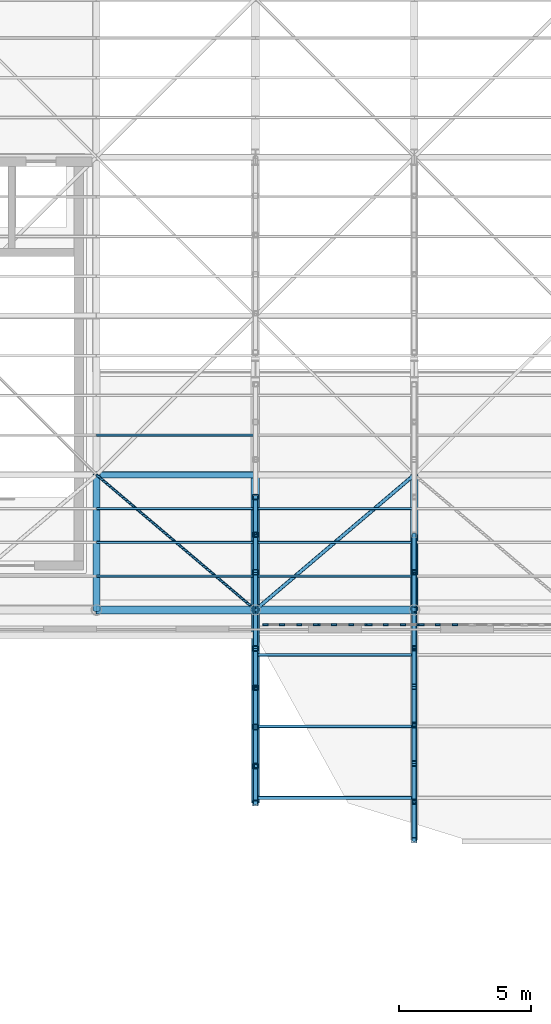
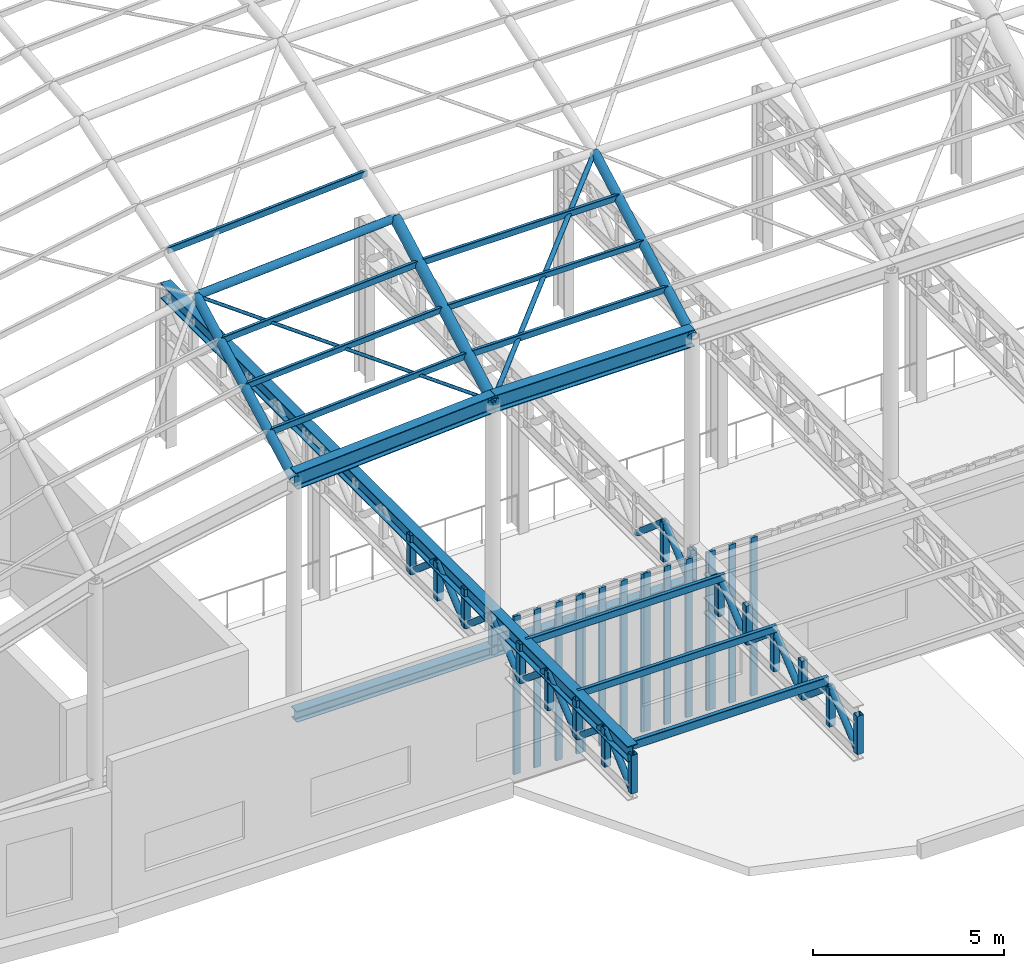
# One storey, part 22 of 75: 65 members, 4 beams, 4 elements without a shape of their own.
"""IFC4 building model written with IfcOpenShell, lengths in metres."""

from ifc_helpers import new_model, si_unit, direction, frame, origin, origin_2d, place, context, subcontext, project, spatial, rectangle, hollow_rectangle, hollow_circle, i_section, extrude, material, material_profile, profile_set, type_object, element, aggregate, save


model = new_model("IFC4")

# Units and contexts
model_context = context("Model", 3, precision=1e-05, world=origin(), true_north=direction((0.0, 1.0)))
body_context = subcontext(model_context, "Body", "Model", "MODEL_VIEW")
ifc_project = project(units=[si_unit("LENGTHUNIT", "METRE"), si_unit("AREAUNIT", "SQUARE_METRE"), si_unit("VOLUMEUNIT", "CUBIC_METRE"), si_unit("PLANEANGLEUNIT", "RADIAN"), si_unit("MASSUNIT", "GRAM", prefix="KILO")], contexts=[model_context])

# Site, building, storey
site_placement = place(None, origin())
site = spatial("IfcSite", under=ifc_project, at=site_placement, CompositionType="ELEMENT")
building_placement = place(site_placement, origin())
building = spatial("IfcBuilding", under=site, at=building_placement, Name="Kolvaren Corner Interchange", CompositionType="ELEMENT")
storey_placement = place(building_placement, frame((0.0, 0.0, 10.5)))
storey = spatial("IfcBuildingStorey", under=building, at=storey_placement, Name="L03", CompositionType="ELEMENT", Elevation=10.5)

# Beams
ifc_material_1 = material(Name="Steel S355", Category="steel")
ifc_material_profile_1 = material_profile(ifc_material_1, i_section(OverallWidth=0.300048828125, OverallDepth=0.35009765625, WebThickness=0.010009765625, FlangeThickness=0.017578125, FilletRadius=0.027099609375, at=origin_2d()), Name="HEA 360")
ifc_profile_set_1 = profile_set([ifc_material_profile_1], Name="Steel S355")
beam_type_1 = type_object("IfcBeamType", Name="BM-HEA360", PredefinedType="BEAM", material=ifc_profile_set_1)
for number, where, z_axis, x_axis, name in (
    (1, (66.0, 24.89990234375, 3.77490234375), (1.0, 0.0, 0.0), (0.0, 1.0, 0.0), "Storey L03 Grid X Primary Girder 0832"),
    (2, (72.0, 24.89990234375, 3.77490234375), (1.0, 0.0, 0.0), (0.0, 1.0, 0.0), "Storey L03 Grid X Primary Girder 0833"),
):
    element("IfcBeam", number, at=place(storey_placement, frame(where, z_axis=z_axis, x_axis=x_axis)), inside=storey, type_object=beam_type_1, Name=name, PredefinedType="BEAM", context=body_context, shape_type="SweptSolid", body=[
        extrude(i_section(OverallWidth=0.300048828125, OverallDepth=0.35009765625, WebThickness=0.010009765625, FlangeThickness=0.017578125, FilletRadius=0.027099609375, at=origin_2d()), origin(), (0.0, 0.0, 1.0), 6.0),
    ])
ifc_material_2 = material(Name="Steel S355", Category="steel")
ifc_material_profile_2 = material_profile(ifc_material_2, i_section(OverallWidth=0.300048828125, OverallDepth=0.5400390625, WebThickness=0.012451171875, FlangeThickness=0.02392578125, FilletRadius=0.027099609375, at=origin_2d()), Name="HEA 550")
ifc_profile_set_2 = profile_set([ifc_material_profile_2], Name="Steel S355")
beam_type_2 = type_object("IfcBeamType", Name="BM-HEA550", PredefinedType="BEAM", material=ifc_profile_set_2)
beam_1_placement = place(storey_placement, frame((66.0, 24.89990234375, 11.2900390625), z_axis=(0.998052578483, 0.0, 0.062378286155), x_axis=(0.0, 1.0, 0.0)))
element("IfcBeam", 3, at=beam_1_placement, inside=storey, type_object=beam_type_2, Name="Concourse Translational Gridshell Eaves Ring Beam 004", PredefinedType="BEAM", context=body_context, shape_type="SweptSolid", body=[
    extrude(i_section(OverallWidth=0.300048828125, OverallDepth=0.5400390625, WebThickness=0.012451171875, FlangeThickness=0.02392578125, FilletRadius=0.027099609375, at=origin_2d()), origin(), (0.0, 0.0, 1.0), 6.01171875),
])
beam_2_placement = place(storey_placement, frame((72.0, 24.89990234375, 11.6650390625), z_axis=(1.0, 0.0, 0.0), x_axis=(0.0, 1.0, 0.0)))
element("IfcBeam", 4, at=beam_2_placement, inside=storey, type_object=beam_type_2, Name="Concourse Translational Gridshell Eaves Ring Beam 005", PredefinedType="BEAM", context=body_context, shape_type="SweptSolid", body=[
    extrude(i_section(OverallWidth=0.300048828125, OverallDepth=0.5400390625, WebThickness=0.012451171875, FlangeThickness=0.02392578125, FilletRadius=0.027099609375, at=origin_2d()), origin(), (0.0, 0.0, 1.0), 6.0),
])

# Members
ifc_material_3 = material(Name="Steel S355", Category="steel")
ifc_material_profile_3 = material_profile(ifc_material_3, hollow_circle(Radius=0.05078125, WallThickness=0.00634765625, at=origin_2d()), Name="CHS 101.6x6.3")
ifc_profile_set_3 = profile_set([ifc_material_profile_3], Name="Steel S355")
member_type_1 = type_object("IfcMemberType", Name="MEM-BR-CHS102", PredefinedType="BRACE", material=ifc_profile_set_3)
member_1_placement = place(storey_placement, frame((66.0, 30.0, 14.0380859375), z_axis=(0.729527914915, -0.620110601504, -0.288533989786), x_axis=(0.647655619635, 0.761933198092, 0.0)))
element("IfcMember", 5, at=member_1_placement, inside=storey, type_object=member_type_1, Name="Concourse Translational Gridshell Nodal Diagonal Brace 0025", PredefinedType="BRACE", context=body_context, shape_type="SweptSolid", body=[
    extrude(hollow_circle(Radius=0.05078125, WallThickness=0.00634765625, at=origin_2d()), origin(), (0.0, 0.0, 1.0), 8.224609375),
])
ifc_material_4 = material(Name="Steel S355", Category="steel")
ifc_material_profile_4 = material_profile(ifc_material_4, hollow_circle(Radius=0.06982421875, WallThickness=0.008056640625, at=origin_2d()), Name="CHS 139.7x8.0")
ifc_profile_set_4 = profile_set([ifc_material_profile_4], Name="Steel S355")
member_type_2 = type_object("IfcMemberType", Name="MEM-BR-CHS140", PredefinedType="BRACE", material=ifc_profile_set_4)
member_2_placement = place(storey_placement, frame((72.0, 24.89990234375, 11.6650390625), z_axis=(0.719387446525, 0.611491038326, 0.329485070723), x_axis=(-0.647655619635, 0.761933198092, 0.0)))
element("IfcMember", 6, at=member_2_placement, inside=storey, type_object=member_type_2, Name="Concourse Translational Gridshell Nodal Diagonal Brace 0033", PredefinedType="BRACE", context=body_context, shape_type="SweptSolid", body=[
    extrude(hollow_circle(Radius=0.06982421875, WallThickness=0.008056640625, at=origin_2d()), origin(), (0.0, 0.0, 1.0), 8.34033203125),
])
ifc_material_5 = material(Name="Steel S355", Category="steel")
ifc_material_profile_5 = material_profile(ifc_material_5, hollow_circle(Radius=0.096923828125, WallThickness=0.010009765625, at=origin_2d()), Name="CHS 193.7x10.0")
ifc_profile_set_5 = profile_set([ifc_material_profile_5], Name="Steel S355")
member_type_3 = type_object("IfcMemberType", Name="MEM-BR-CHS194", PredefinedType="BRACE", material=ifc_profile_set_5)
member_3_placement = place(storey_placement, frame((72.0, 17.60009765625, 3.64990234375), z_axis=(0.0, 0.75382949788, 0.65707007855), x_axis=(-1.0, 0.0, 0.0)))
element("IfcMember", 7, at=member_3_placement, inside=storey, type_object=member_type_3, Name="South Portal Cantilever Roof Truss TOP Line 1 Diagonal 01", PredefinedType="BRACE", context=body_context, shape_type="SweptSolid", body=[
    extrude(hollow_circle(Radius=0.096923828125, WallThickness=0.010009765625, at=origin_2d()), origin(), (0.0, 0.0, 1.0), 1.85693359375),
])
for number, where, z_axis, x_axis, name in (
    (8, (72.0, 19.0, 4.8701171875), (0.0, 0.771570054348, -0.636144363516), (-1.0, 0.0, 0.0), "South Portal Cantilever Roof Truss TOP Line 1 Diagonal 02"),
    (9, (72.0, 20.47998046875, 3.64990234375), (0.0, 0.771570054348, 0.636144363516), (-1.0, 0.0, 0.0), "South Portal Cantilever Roof Truss TOP Line 1 Diagonal 03"),
    (10, (72.0, 21.9599609375, 4.8701171875), (0.0, 0.771570054348, -0.636144363516), (-1.0, 0.0, 0.0), "South Portal Cantilever Roof Truss TOP Line 1 Diagonal 04"),
):
    element("IfcMember", number, at=place(storey_placement, frame(where, z_axis=z_axis, x_axis=x_axis)), inside=storey, type_object=member_type_3, Name=name, PredefinedType="BRACE", context=body_context, shape_type="SweptSolid", body=[
        extrude(hollow_circle(Radius=0.096923828125, WallThickness=0.010009765625, at=origin_2d()), origin(), (0.0, 0.0, 1.0), 1.918212890625),
    ])
member_4_placement = place(storey_placement, frame((72.0, 23.43994140625, 3.64990234375), z_axis=(0.0, 0.76729496063, 0.641294350039), x_axis=(-1.0, 0.0, 0.0)))
element("IfcMember", 11, at=member_4_placement, inside=storey, type_object=member_type_3, Name="South Portal Cantilever Roof Truss TOP Line 1 Diagonal 05", PredefinedType="BRACE", context=body_context, shape_type="SweptSolid", body=[
    extrude(hollow_circle(Radius=0.096923828125, WallThickness=0.010009765625, at=origin_2d()), origin(), (0.0, 0.0, 1.0), 1.90283203125),
])
member_5_placement = place(storey_placement, frame((72.0, 24.89990234375, 4.8701171875), z_axis=(0.0, 0.758482926199, -0.651692911319), x_axis=(-1.0, 0.0, 0.0)))
element("IfcMember", 12, at=member_5_placement, inside=storey, type_object=member_type_3, Name="South Portal Cantilever Roof Truss TOP Line 1 Diagonal 06", PredefinedType="BRACE", context=body_context, shape_type="SweptSolid", body=[
    extrude(hollow_circle(Radius=0.096923828125, WallThickness=0.010009765625, at=origin_2d()), origin(), (0.0, 0.0, 1.0), 1.872314453125),
])
for number, where, z_axis, x_axis, name in (
    (13, (72.0, 26.320068359375, 3.64990234375), (0.0, 0.758427540561, 0.651757367215), (-1.0, 0.0, 0.0), "South Portal Cantilever Roof Truss TOP Line 1 Diagonal 07"),
    (14, (72.0, 27.739990234375, 4.8701171875), (0.0, 0.758427540561, -0.651757367215), (-1.0, 0.0, 0.0), "South Portal Cantilever Roof Truss TOP Line 1 Diagonal 08"),
):
    element("IfcMember", number, at=place(storey_placement, frame(where, z_axis=z_axis, x_axis=x_axis)), inside=storey, type_object=member_type_3, Name=name, PredefinedType="BRACE", context=body_context, shape_type="SweptSolid", body=[
        extrude(hollow_circle(Radius=0.096923828125, WallThickness=0.010009765625, at=origin_2d()), origin(), (0.0, 0.0, 1.0), 1.8720703125),
    ])
member_6_placement = place(storey_placement, frame((78.0, 16.199951171875, 3.64990234375), z_axis=(0.0, 0.765118287979, 0.643889746307), x_axis=(-1.0, 0.0, 0.0)))
element("IfcMember", 15, at=member_6_placement, inside=storey, type_object=member_type_3, Name="South Portal Cantilever Roof Truss TOP Line 2 Diagonal 01", PredefinedType="BRACE", context=body_context, shape_type="SweptSolid", body=[
    extrude(hollow_circle(Radius=0.096923828125, WallThickness=0.010009765625, at=origin_2d()), origin(), (0.0, 0.0, 1.0), 1.89501953125),
])
member_7_placement = place(storey_placement, frame((78.0, 17.64990234375, 4.8701171875), z_axis=(0.0, 0.765171692013, -0.64382628227), x_axis=(-1.0, 0.0, 0.0)))
element("IfcMember", 16, at=member_7_placement, inside=storey, type_object=member_type_3, Name="South Portal Cantilever Roof Truss TOP Line 2 Diagonal 02", PredefinedType="BRACE", context=body_context, shape_type="SweptSolid", body=[
    extrude(hollow_circle(Radius=0.096923828125, WallThickness=0.010009765625, at=origin_2d()), origin(), (0.0, 0.0, 1.0), 1.895263671875),
])
for number, where, z_axis, x_axis, name in (
    (17, (78.0, 19.10009765625, 3.64990234375), (0.0, 0.765118287979, 0.643889746307), (-1.0, 0.0, 0.0), "South Portal Cantilever Roof Truss TOP Line 2 Diagonal 03"),
    (18, (78.0, 20.550048828125, 4.8701171875), (0.0, 0.765118287979, -0.643889746307), (-1.0, 0.0, 0.0), "South Portal Cantilever Roof Truss TOP Line 2 Diagonal 04"),
    (19, (78.0, 22.0, 3.64990234375), (0.0, 0.765118287979, 0.643889746307), (-1.0, 0.0, 0.0), "South Portal Cantilever Roof Truss TOP Line 2 Diagonal 05"),
    (20, (78.0, 23.449951171875, 4.8701171875), (0.0, 0.765118287979, -0.643889746307), (-1.0, 0.0, 0.0), "South Portal Cantilever Roof Truss TOP Line 2 Diagonal 06"),
):
    element("IfcMember", number, at=place(storey_placement, frame(where, z_axis=z_axis, x_axis=x_axis)), inside=storey, type_object=member_type_3, Name=name, PredefinedType="BRACE", context=body_context, shape_type="SweptSolid", body=[
        extrude(hollow_circle(Radius=0.096923828125, WallThickness=0.010009765625, at=origin_2d()), origin(), (0.0, 0.0, 1.0), 1.89501953125),
    ])
member_8_placement = place(storey_placement, frame((78.0, 24.89990234375, 3.64990234375), z_axis=(0.0, 0.758482926199, 0.651692911319), x_axis=(-1.0, 0.0, 0.0)))
element("IfcMember", 21, at=member_8_placement, inside=storey, type_object=member_type_3, Name="South Portal Cantilever Roof Truss TOP Line 2 Diagonal 07", PredefinedType="BRACE", context=body_context, shape_type="SweptSolid", body=[
    extrude(hollow_circle(Radius=0.096923828125, WallThickness=0.010009765625, at=origin_2d()), origin(), (0.0, 0.0, 1.0), 1.872314453125),
])
member_9_placement = place(storey_placement, frame((78.0, 26.320068359375, 4.8701171875), z_axis=(0.0, 0.758427540561, -0.651757367215), x_axis=(-1.0, 0.0, 0.0)))
element("IfcMember", 22, at=member_9_placement, inside=storey, type_object=member_type_3, Name="South Portal Cantilever Roof Truss TOP Line 2 Diagonal 08", PredefinedType="BRACE", context=body_context, shape_type="SweptSolid", body=[
    extrude(hollow_circle(Radius=0.096923828125, WallThickness=0.010009765625, at=origin_2d()), origin(), (0.0, 0.0, 1.0), 1.8720703125),
])
ifc_material_6 = material(Name="Steel S355", Category="steel")
ifc_material_profile_6 = material_profile(ifc_material_6, hollow_circle(Radius=0.122314453125, WallThickness=0.012451171875, at=origin_2d()), Name="CHS 244.5x12.5")
ifc_profile_set_6 = profile_set([ifc_material_profile_6], Name="Steel S355")
member_type_4 = type_object("IfcMemberType", Name="MEM-CH-CHS245", PredefinedType="CHORD", material=ifc_profile_set_6)
member_10_placement = place(storey_placement, frame((66.0, 30.0, 14.0380859375), z_axis=(0.998052578483, 0.0, 0.062378286155), x_axis=(0.0, 1.0, 0.0)))
element("IfcMember", 23, at=member_10_placement, inside=storey, type_object=member_type_4, Name="Concourse Translational Gridshell Longitudinal Arch Chord 0108", PredefinedType="CHORD", context=body_context, shape_type="SweptSolid", body=[
    extrude(hollow_circle(Radius=0.122314453125, WallThickness=0.012451171875, at=origin_2d()), origin(), (0.0, 0.0, 1.0), 6.01171875),
])
ifc_material_7 = material(Name="Steel S355", Category="steel")
ifc_material_profile_7 = material_profile(ifc_material_7, hollow_circle(Radius=0.136474609375, WallThickness=0.012451171875, at=origin_2d()), Name="CHS 273.0x12.5")
ifc_profile_set_7 = profile_set([ifc_material_profile_7], Name="Steel S355")
member_type_5 = type_object("IfcMemberType", Name="MEM-CH-CHS273", PredefinedType="CHORD", material=ifc_profile_set_7)
for number, where, z_axis, x_axis, name in (
    (24, (66.0, 24.89990234375, 11.2900390625), (0.0, 0.880338454691, 0.474346081666), (-1.0, 0.0, 0.0), "Concourse Translational Gridshell Transverse Arch Chord 0017"),
    (25, (78.0, 24.89990234375, 11.6650390625), (0.0, 0.880338454691, 0.474346081666), (-1.0, 0.0, 0.0), "Concourse Translational Gridshell Transverse Arch Chord 0033"),
):
    element("IfcMember", number, at=place(storey_placement, frame(where, z_axis=z_axis, x_axis=x_axis)), inside=storey, type_object=member_type_5, Name=name, PredefinedType="CHORD", context=body_context, shape_type="SweptSolid", body=[
        extrude(hollow_circle(Radius=0.136474609375, WallThickness=0.012451171875, at=origin_2d()), origin(), (0.0, 0.0, 1.0), 5.79345703125),
    ])
ifc_material_8 = material(Name="Steel S355", Category="steel")
ifc_material_profile_8 = material_profile(ifc_material_8, hollow_circle(Radius=0.161865234375, WallThickness=0.012451171875, at=origin_2d()), Name="CHS 323.9x12.5")
ifc_profile_set_8 = profile_set([ifc_material_profile_8], Name="Steel S355")
member_type_6 = type_object("IfcMemberType", Name="MEM-CH-CHS324", PredefinedType="CHORD", material=ifc_profile_set_8)
member_11_placement = place(storey_placement, frame((72.0, 24.89990234375, 11.6650390625), z_axis=(0.0, 0.880338454691, 0.474346081666), x_axis=(-1.0, 0.0, 0.0)))
element("IfcMember", 26, at=member_11_placement, inside=storey, type_object=member_type_6, Name="Concourse Translational Gridshell Transverse Arch Chord 0025", PredefinedType="CHORD", context=body_context, shape_type="SweptSolid", body=[
    extrude(hollow_circle(Radius=0.161865234375, WallThickness=0.012451171875, at=origin_2d()), origin(), (0.0, 0.0, 1.0), 5.79345703125),
])
ifc_material_9 = material(Name="Steel S355", Category="steel")
ifc_material_profile_9 = material_profile(ifc_material_9, i_section(OverallWidth=0.300048828125, OverallDepth=0.5, WebThickness=0.014404296875, FlangeThickness=0.028076171875, FilletRadius=0.027099609375, at=origin_2d()), Name="HEB 500")
ifc_profile_set_9 = profile_set([ifc_material_profile_9], Name="Steel S355")
member_type_7 = type_object("IfcMemberType", Name="MEM-CH-HEB500", PredefinedType="CHORD", material=ifc_profile_set_9)
member_12_placement = place(storey_placement, frame((72.0, 17.60009765625, 4.8701171875), z_axis=(0.0, 1.0, 0.0), x_axis=(-1.0, 0.0, 0.0)))
element("IfcMember", 27, at=member_12_placement, inside=storey, type_object=member_type_7, Name="South Portal Cantilever Roof Truss TOP Line 1 Top Chord", PredefinedType="CHORD", context=body_context, shape_type="SweptSolid", body=[
    extrude(i_section(OverallWidth=0.300048828125, OverallDepth=0.5, WebThickness=0.014404296875, FlangeThickness=0.028076171875, FilletRadius=0.027099609375, at=origin_2d()), origin(), (0.0, 0.0, 1.0), 24.39990234375),
])
ifc_material_10 = material(Name="Steel S355", Category="steel")
ifc_material_profile_10 = material_profile(ifc_material_10, hollow_rectangle(XDim=0.10009765625, YDim=0.179931640625, WallThickness=0.008056640625, InnerFilletRadius=0.008056640625, OuterFilletRadius=0.01611328125, at=origin_2d()), Name="RHS 180x100x8.0")
ifc_profile_set_10 = profile_set([ifc_material_profile_10], Name="Steel S355")
member_type_8 = type_object("IfcMemberType", Name="MEM-PR-RHS180", PredefinedType="PURLIN", material=ifc_profile_set_10)
member_13_placement = place(storey_placement, frame((66.0, 27.449951171875, 12.7119140625), z_axis=(0.998052578483, 0.0, 0.062378286155), x_axis=(0.0, 1.0, 0.0)))
element("IfcMember", 28, at=member_13_placement, inside=storey, type_object=member_type_8, Name="Concourse Translational Gridshell Glazing Purlin 0025 Row 2", PredefinedType="PURLIN", context=body_context, shape_type="SweptSolid", body=[
    extrude(hollow_rectangle(XDim=0.10009765625, YDim=0.179931640625, WallThickness=0.008056640625, InnerFilletRadius=0.008056640625, OuterFilletRadius=0.01611328125, at=origin_2d()), origin(), (0.0, 0.0, 1.0), 6.01171875),
])
member_14_placement = place(storey_placement, frame((72.0, 27.449951171875, 13.0869140625), z_axis=(1.0, 0.0, 0.0), x_axis=(0.0, 1.0, 0.0)))
element("IfcMember", 29, at=member_14_placement, inside=storey, type_object=member_type_8, Name="Concourse Translational Gridshell Glazing Purlin 0033 Row 2", PredefinedType="PURLIN", context=body_context, shape_type="SweptSolid", body=[
    extrude(hollow_rectangle(XDim=0.10009765625, YDim=0.179931640625, WallThickness=0.008056640625, InnerFilletRadius=0.008056640625, OuterFilletRadius=0.01611328125, at=origin_2d()), origin(), (0.0, 0.0, 1.0), 6.0),
])
ifc_material_11 = material(Name="Steel S355", Category="steel")
ifc_material_profile_11 = material_profile(ifc_material_11, hollow_rectangle(XDim=0.10009765625, YDim=0.199951171875, WallThickness=0.008056640625, InnerFilletRadius=0.008056640625, OuterFilletRadius=0.01611328125, at=origin_2d()), Name="RHS 200x100x8.0")
ifc_profile_set_11 = profile_set([ifc_material_profile_11], Name="Steel S355")
member_type_9 = type_object("IfcMemberType", Name="MEM-PR-RHS200", PredefinedType="PURLIN", material=ifc_profile_set_11)
for number, where, z_axis, x_axis, name in (
    (30, (66.0, 26.175048828125, 12.014892578125), (0.998052578483, 0.0, 0.062378286155), (0.0, 1.0, 0.0), "Concourse Translational Gridshell Glazing Purlin 0025 Row 1"),
    (31, (66.0, 28.72509765625, 13.388916015625), (0.998052578483, 0.0, 0.062378286155), (0.0, 1.0, 0.0), "Concourse Translational Gridshell Glazing Purlin 0025 Row 3"),
    (32, (66.0, 31.5, 14.575927734375), (0.998052578483, 0.0, 0.062378286155), (0.0, 1.0, 0.0), "Concourse Translational Gridshell Glazing Purlin 0026 Row 1"),
):
    element("IfcMember", number, at=place(storey_placement, frame(where, z_axis=z_axis, x_axis=x_axis)), inside=storey, type_object=member_type_9, Name=name, PredefinedType="PURLIN", context=body_context, shape_type="SweptSolid", body=[
        extrude(hollow_rectangle(XDim=0.10009765625, YDim=0.199951171875, WallThickness=0.008056640625, InnerFilletRadius=0.008056640625, OuterFilletRadius=0.01611328125, at=origin_2d()), origin(), (0.0, 0.0, 1.0), 6.01171875),
    ])
for number, where, z_axis, x_axis, name in (
    (33, (72.0, 26.175048828125, 12.389892578125), (1.0, 0.0, 0.0), (0.0, 1.0, 0.0), "Concourse Translational Gridshell Glazing Purlin 0033 Row 1"),
    (34, (72.0, 28.72509765625, 13.763916015625), (1.0, 0.0, 0.0), (0.0, 1.0, 0.0), "Concourse Translational Gridshell Glazing Purlin 0033 Row 3"),
):
    element("IfcMember", number, at=place(storey_placement, frame(where, z_axis=z_axis, x_axis=x_axis)), inside=storey, type_object=member_type_9, Name=name, PredefinedType="PURLIN", context=body_context, shape_type="SweptSolid", body=[
        extrude(hollow_rectangle(XDim=0.10009765625, YDim=0.199951171875, WallThickness=0.008056640625, InnerFilletRadius=0.008056640625, OuterFilletRadius=0.01611328125, at=origin_2d()), origin(), (0.0, 0.0, 1.0), 6.0),
    ])
ifc_material_12 = material(Name="Steel S355", Category="steel")
ifc_material_profile_12 = material_profile(ifc_material_12, hollow_rectangle(XDim=0.1201171875, YDim=0.219970703125, WallThickness=0.008056640625, InnerFilletRadius=0.008056640625, OuterFilletRadius=0.01611328125, at=origin_2d()), Name="RHS 220x120x8.0")
ifc_profile_set_12 = profile_set([ifc_material_profile_12], Name="Steel S355")
member_type_10 = type_object("IfcMemberType", Name="MEM-PR-RHS220", PredefinedType="PURLIN", material=ifc_profile_set_12)
for number, where, z_axis, x_axis, name in (
    (35, (72.0, 20.5, 5.010009765625), (1.0, 0.0, 0.0), (0.0, 1.0, 0.0), "South Portal Cantilever Roof Truss TOP Purlin 2 Bay 72"),
    (36, (72.0, 23.199951171875, 5.010009765625), (1.0, 0.0, 0.0), (0.0, 1.0, 0.0), "South Portal Cantilever Roof Truss TOP Purlin 3 Bay 72"),
):
    element("IfcMember", number, at=place(storey_placement, frame(where, z_axis=z_axis, x_axis=x_axis)), inside=storey, type_object=member_type_10, Name=name, PredefinedType="PURLIN", context=body_context, shape_type="SweptSolid", body=[
        extrude(hollow_rectangle(XDim=0.1201171875, YDim=0.219970703125, WallThickness=0.008056640625, InnerFilletRadius=0.008056640625, OuterFilletRadius=0.01611328125, at=origin_2d()), origin(), (0.0, 0.0, 1.0), 6.0),
    ])
ifc_material_13 = material(Name="Steel S355", Category="steel")
ifc_material_profile_13 = material_profile(ifc_material_13, hollow_rectangle(XDim=0.139892578125, YDim=0.260009765625, WallThickness=0.010009765625, InnerFilletRadius=0.010009765625, OuterFilletRadius=0.02001953125, at=origin_2d()), Name="RHS 260x140x10.0")
ifc_profile_set_13 = profile_set([ifc_material_profile_13], Name="Steel S355")
member_type_11 = type_object("IfcMemberType", Name="MEM-PR-RHS260", PredefinedType="PURLIN", material=ifc_profile_set_13)
member_15_placement = place(storey_placement, frame((72.0, 17.800048828125, 4.989990234375), z_axis=(1.0, 0.0, 0.0), x_axis=(0.0, 1.0, 0.0)))
element("IfcMember", 37, at=member_15_placement, inside=storey, type_object=member_type_11, Name="South Portal Cantilever Roof Truss TOP Purlin 1 Bay 72", PredefinedType="PURLIN", context=body_context, shape_type="SweptSolid", body=[
    extrude(hollow_rectangle(XDim=0.139892578125, YDim=0.260009765625, WallThickness=0.010009765625, InnerFilletRadius=0.010009765625, OuterFilletRadius=0.02001953125, at=origin_2d()), origin(), (0.0, 0.0, 1.0), 6.0),
])
ifc_material_14 = material(Name="Steel S355", Category="steel")
ifc_material_profile_14 = material_profile(ifc_material_14, hollow_rectangle(XDim=0.199951171875, YDim=0.199951171875, WallThickness=0.010009765625, InnerFilletRadius=0.010009765625, OuterFilletRadius=0.02001953125, at=origin_2d()), Name="SHS 200x200x10.0")
ifc_profile_set_14 = profile_set([ifc_material_profile_14], Name="Steel S355")
member_type_12 = type_object("IfcMemberType", Name="MEM-PT-SHS200", PredefinedType="POST", material=ifc_profile_set_14)
for number, where, z_axis, x_axis, name in (
    (38, (72.0, 17.60009765625, 3.64990234375), (0.0, 0.0, 1.0), (1.0, 0.0, 0.0), "South Portal Cantilever Roof Truss TOP Line 1 Web Post 01"),
    (39, (72.0, 19.0, 3.64990234375), (0.0, 0.0, 1.0), (1.0, 0.0, 0.0), "South Portal Cantilever Roof Truss TOP Line 1 Web Post 02"),
    (40, (72.0, 20.47998046875, 3.64990234375), (0.0, 0.0, 1.0), (1.0, 0.0, 0.0), "South Portal Cantilever Roof Truss TOP Line 1 Web Post 03"),
    (41, (72.0, 21.9599609375, 3.64990234375), (0.0, 0.0, 1.0), (1.0, 0.0, 0.0), "South Portal Cantilever Roof Truss TOP Line 1 Web Post 04"),
    (42, (72.0, 23.43994140625, 3.64990234375), (0.0, 0.0, 1.0), (1.0, 0.0, 0.0), "South Portal Cantilever Roof Truss TOP Line 1 Web Post 05"),
    (43, (72.0, 24.89990234375, 3.64990234375), (0.0, 0.0, 1.0), (1.0, 0.0, 0.0), "South Portal Cantilever Roof Truss TOP Line 1 Web Post 06"),
    (44, (72.0, 26.320068359375, 3.64990234375), (0.0, 0.0, 1.0), (1.0, 0.0, 0.0), "South Portal Cantilever Roof Truss TOP Line 1 Web Post 07"),
    (45, (72.0, 27.739990234375, 3.64990234375), (0.0, 0.0, 1.0), (1.0, 0.0, 0.0), "South Portal Cantilever Roof Truss TOP Line 1 Web Post 08"),
    (46, (72.0, 29.159912109375, 3.64990234375), (0.0, 0.0, 1.0), (1.0, 0.0, 0.0), "South Portal Cantilever Roof Truss TOP Line 1 Web Post 09"),
    (47, (78.0, 16.199951171875, 3.64990234375), (0.0, 0.0, 1.0), (1.0, 0.0, 0.0), "South Portal Cantilever Roof Truss TOP Line 2 Web Post 01"),
    (48, (78.0, 17.64990234375, 3.64990234375), (0.0, 0.0, 1.0), (1.0, 0.0, 0.0), "South Portal Cantilever Roof Truss TOP Line 2 Web Post 02"),
    (49, (78.0, 19.10009765625, 3.64990234375), (0.0, 0.0, 1.0), (1.0, 0.0, 0.0), "South Portal Cantilever Roof Truss TOP Line 2 Web Post 03"),
    (50, (78.0, 20.550048828125, 3.64990234375), (0.0, 0.0, 1.0), (1.0, 0.0, 0.0), "South Portal Cantilever Roof Truss TOP Line 2 Web Post 04"),
    (51, (78.0, 22.0, 3.64990234375), (0.0, 0.0, 1.0), (1.0, 0.0, 0.0), "South Portal Cantilever Roof Truss TOP Line 2 Web Post 05"),
    (52, (78.0, 23.449951171875, 3.64990234375), (0.0, 0.0, 1.0), (1.0, 0.0, 0.0), "South Portal Cantilever Roof Truss TOP Line 2 Web Post 06"),
    (53, (78.0, 24.89990234375, 3.64990234375), (0.0, 0.0, 1.0), (1.0, 0.0, 0.0), "South Portal Cantilever Roof Truss TOP Line 2 Web Post 07"),
    (54, (78.0, 26.320068359375, 3.64990234375), (0.0, 0.0, 1.0), (1.0, 0.0, 0.0), "South Portal Cantilever Roof Truss TOP Line 2 Web Post 08"),
):
    element("IfcMember", number, at=place(storey_placement, frame(where, z_axis=z_axis, x_axis=x_axis)), inside=storey, type_object=member_type_12, Name=name, PredefinedType="POST", context=body_context, shape_type="SweptSolid", body=[
        extrude(hollow_rectangle(XDim=0.199951171875, YDim=0.199951171875, WallThickness=0.010009765625, InnerFilletRadius=0.010009765625, OuterFilletRadius=0.02001953125, at=origin_2d()), origin(), (0.0, 0.0, 1.0), 1.22021484375),
    ])

# Curtain wall, members
ifc_material_15 = material(Name="Unitised Aluminium and Solar-Control Glass Curtain Wall", Category="aluminium")
curtain_wall_type = type_object("IfcCurtainWallType", Name="CW-V1-UPPER", PredefinedType="NOTDEFINED", material=ifc_material_15)
curtain_wall_1_placement = place(storey_placement, origin())
curtain_wall_1 = element("IfcCurtainWall", 55, at=curtain_wall_1_placement, inside=storey, type_object=curtain_wall_type, Name="South Portal Upper Curtain Wall Bay 01", PredefinedType="NOTDEFINED")
ifc_material_16 = material(Name="Anodised Aluminium Framing", Category="aluminium")
ifc_material_profile_15 = material_profile(ifc_material_16, rectangle(XDim=0.070068359375, YDim=0.199951171875, at=origin_2d()), Name="ALU 70x200")
ifc_profile_set_15 = profile_set([ifc_material_profile_15], Name="Anodised Aluminium Framing")
member_type_13 = type_object("IfcMemberType", Name="MUL-ALU70x200", PredefinedType="MULLION", material=ifc_profile_set_15)
member_16_placement = place(storey_placement, frame((72.385009765625, 24.340087890625, 0.0), z_axis=(0.0, 0.0, 1.0), x_axis=(0.0, 1.0, 0.0)))
member_16 = element("IfcMember", 56, at=member_16_placement, type_object=member_type_13, Name="CW-037 mullion 1", PredefinedType="MULLION", context=body_context, shape_type="SweptSolid", body=[
    extrude(rectangle(XDim=0.070068359375, YDim=0.199951171875, at=origin_2d()), origin(), (0.0, 0.0, 1.0), 5.050048828125),
])
member_17_placement = place(storey_placement, frame((73.003662109375, 24.340087890625, 0.0), z_axis=(0.0, 0.0, 1.0), x_axis=(0.0, 1.0, 0.0)))
member_17 = element("IfcMember", 57, at=member_17_placement, type_object=member_type_13, Name="CW-037 mullion 2", PredefinedType="MULLION", context=body_context, shape_type="SweptSolid", body=[
    extrude(rectangle(XDim=0.070068359375, YDim=0.199951171875, at=origin_2d()), origin(), (0.0, 0.0, 1.0), 5.050048828125),
])
member_18_placement = place(storey_placement, frame((73.657470703125, 24.340087890625, 0.0), z_axis=(0.0, 0.0, 1.0), x_axis=(0.0, 1.0, 0.0)))
member_18 = element("IfcMember", 58, at=member_18_placement, type_object=member_type_13, Name="CW-037 mullion 3", PredefinedType="MULLION", context=body_context, shape_type="SweptSolid", body=[
    extrude(rectangle(XDim=0.070068359375, YDim=0.199951171875, at=origin_2d()), origin(), (0.0, 0.0, 1.0), 5.050048828125),
])
member_19_placement = place(storey_placement, frame((74.276123046875, 24.340087890625, 0.0), z_axis=(0.0, 0.0, 1.0), x_axis=(0.0, 1.0, 0.0)))
member_19 = element("IfcMember", 59, at=member_19_placement, type_object=member_type_13, Name="CW-037 mullion 4", PredefinedType="MULLION", context=body_context, shape_type="SweptSolid", body=[
    extrude(rectangle(XDim=0.070068359375, YDim=0.199951171875, at=origin_2d()), origin(), (0.0, 0.0, 1.0), 5.050048828125),
])
aggregate(curtain_wall_1, [member_16, member_17, member_18, member_19])

curtain_wall_2_placement = place(storey_placement, origin())
curtain_wall_2 = element("IfcCurtainWall", 60, at=curtain_wall_2_placement, inside=storey, type_object=curtain_wall_type, Name="South Portal Upper Curtain Wall Bay 02", PredefinedType="NOTDEFINED")
member_20_placement = place(storey_placement, frame((74.34619140625, 24.340087890625, 0.0), z_axis=(0.0, 0.0, 1.0), x_axis=(0.0, 1.0, 0.0)))
member_20 = element("IfcMember", 61, at=member_20_placement, type_object=member_type_13, Name="CW-038 mullion 1", PredefinedType="MULLION", context=body_context, shape_type="SweptSolid", body=[
    extrude(rectangle(XDim=0.070068359375, YDim=0.199951171875, at=origin_2d()), origin(), (0.0, 0.0, 1.0), 5.050048828125),
])
member_21_placement = place(storey_placement, frame((74.96484375, 24.340087890625, 0.0), z_axis=(0.0, 0.0, 1.0), x_axis=(0.0, 1.0, 0.0)))
member_21 = element("IfcMember", 62, at=member_21_placement, type_object=member_type_13, Name="CW-038 mullion 2", PredefinedType="MULLION", context=body_context, shape_type="SweptSolid", body=[
    extrude(rectangle(XDim=0.070068359375, YDim=0.199951171875, at=origin_2d()), origin(), (0.0, 0.0, 1.0), 5.050048828125),
])
member_22_placement = place(storey_placement, frame((75.618408203125, 24.340087890625, 0.0), z_axis=(0.0, 0.0, 1.0), x_axis=(0.0, 1.0, 0.0)))
member_22 = element("IfcMember", 63, at=member_22_placement, type_object=member_type_13, Name="CW-038 mullion 3", PredefinedType="MULLION", context=body_context, shape_type="SweptSolid", body=[
    extrude(rectangle(XDim=0.070068359375, YDim=0.199951171875, at=origin_2d()), origin(), (0.0, 0.0, 1.0), 5.050048828125),
])
member_23_placement = place(storey_placement, frame((76.2373046875, 24.340087890625, 0.0), z_axis=(0.0, 0.0, 1.0), x_axis=(0.0, 1.0, 0.0)))
member_23 = element("IfcMember", 64, at=member_23_placement, type_object=member_type_13, Name="CW-038 mullion 4", PredefinedType="MULLION", context=body_context, shape_type="SweptSolid", body=[
    extrude(rectangle(XDim=0.070068359375, YDim=0.199951171875, at=origin_2d()), origin(), (0.0, 0.0, 1.0), 5.050048828125),
])
aggregate(curtain_wall_2, [member_20, member_21, member_22, member_23])

curtain_wall_3_placement = place(storey_placement, origin())
curtain_wall_3 = element("IfcCurtainWall", 65, at=curtain_wall_3_placement, inside=storey, type_object=curtain_wall_type, Name="South Portal Upper Curtain Wall Bay 03", PredefinedType="NOTDEFINED")
member_24_placement = place(storey_placement, frame((76.30712890625, 24.340087890625, 0.0), z_axis=(0.0, 0.0, 1.0), x_axis=(0.0, 1.0, 0.0)))
member_24 = element("IfcMember", 66, at=member_24_placement, type_object=member_type_13, Name="CW-039 mullion 1", PredefinedType="MULLION", context=body_context, shape_type="SweptSolid", body=[
    extrude(rectangle(XDim=0.070068359375, YDim=0.199951171875, at=origin_2d()), origin(), (0.0, 0.0, 1.0), 5.050048828125),
])
member_25_placement = place(storey_placement, frame((76.92578125, 24.340087890625, 0.0), z_axis=(0.0, 0.0, 1.0), x_axis=(0.0, 1.0, 0.0)))
member_25 = element("IfcMember", 67, at=member_25_placement, type_object=member_type_13, Name="CW-039 mullion 2", PredefinedType="MULLION", context=body_context, shape_type="SweptSolid", body=[
    extrude(rectangle(XDim=0.070068359375, YDim=0.199951171875, at=origin_2d()), origin(), (0.0, 0.0, 1.0), 5.050048828125),
])
member_26_placement = place(storey_placement, frame((77.57958984375, 24.340087890625, 0.0), z_axis=(0.0, 0.0, 1.0), x_axis=(0.0, 1.0, 0.0)))
member_26 = element("IfcMember", 68, at=member_26_placement, type_object=member_type_13, Name="CW-039 mullion 3", PredefinedType="MULLION", context=body_context, shape_type="SweptSolid", body=[
    extrude(rectangle(XDim=0.070068359375, YDim=0.199951171875, at=origin_2d()), origin(), (0.0, 0.0, 1.0), 5.050048828125),
])
member_27_placement = place(storey_placement, frame((78.1982421875, 24.340087890625, 0.0), z_axis=(0.0, 0.0, 1.0), x_axis=(0.0, 1.0, 0.0)))
member_27 = element("IfcMember", 69, at=member_27_placement, type_object=member_type_13, Name="CW-039 mullion 4", PredefinedType="MULLION", context=body_context, shape_type="SweptSolid", body=[
    extrude(rectangle(XDim=0.070068359375, YDim=0.199951171875, at=origin_2d()), origin(), (0.0, 0.0, 1.0), 5.050048828125),
])
aggregate(curtain_wall_3, [member_24, member_25, member_26, member_27])

curtain_wall_4_placement = place(storey_placement, origin())
curtain_wall_4 = element("IfcCurtainWall", 70, at=curtain_wall_4_placement, inside=storey, type_object=curtain_wall_type, Name="South Portal Upper Curtain Wall Bay 04", PredefinedType="NOTDEFINED")
member_28_placement = place(storey_placement, frame((78.268310546875, 24.340087890625, 0.0), z_axis=(0.0, 0.0, 1.0), x_axis=(0.0, 1.0, 0.0)))
member_28 = element("IfcMember", 71, at=member_28_placement, type_object=member_type_13, Name="CW-040 mullion 1", PredefinedType="MULLION", context=body_context, shape_type="SweptSolid", body=[
    extrude(rectangle(XDim=0.070068359375, YDim=0.199951171875, at=origin_2d()), origin(), (0.0, 0.0, 1.0), 5.050048828125),
])
member_29_placement = place(storey_placement, frame((78.886962890625, 24.340087890625, 0.0), z_axis=(0.0, 0.0, 1.0), x_axis=(0.0, 1.0, 0.0)))
member_29 = element("IfcMember", 72, at=member_29_placement, type_object=member_type_13, Name="CW-040 mullion 2", PredefinedType="MULLION", context=body_context, shape_type="SweptSolid", body=[
    extrude(rectangle(XDim=0.070068359375, YDim=0.199951171875, at=origin_2d()), origin(), (0.0, 0.0, 1.0), 5.050048828125),
])
member_30_placement = place(storey_placement, frame((79.540771484375, 24.340087890625, 0.0), z_axis=(0.0, 0.0, 1.0), x_axis=(0.0, 1.0, 0.0)))
member_30 = element("IfcMember", 73, at=member_30_placement, type_object=member_type_13, Name="CW-040 mullion 3", PredefinedType="MULLION", context=body_context, shape_type="SweptSolid", body=[
    extrude(rectangle(XDim=0.070068359375, YDim=0.199951171875, at=origin_2d()), origin(), (0.0, 0.0, 1.0), 5.050048828125),
])
aggregate(curtain_wall_4, [member_28, member_29, member_30])

save(model, "model.ifc")
